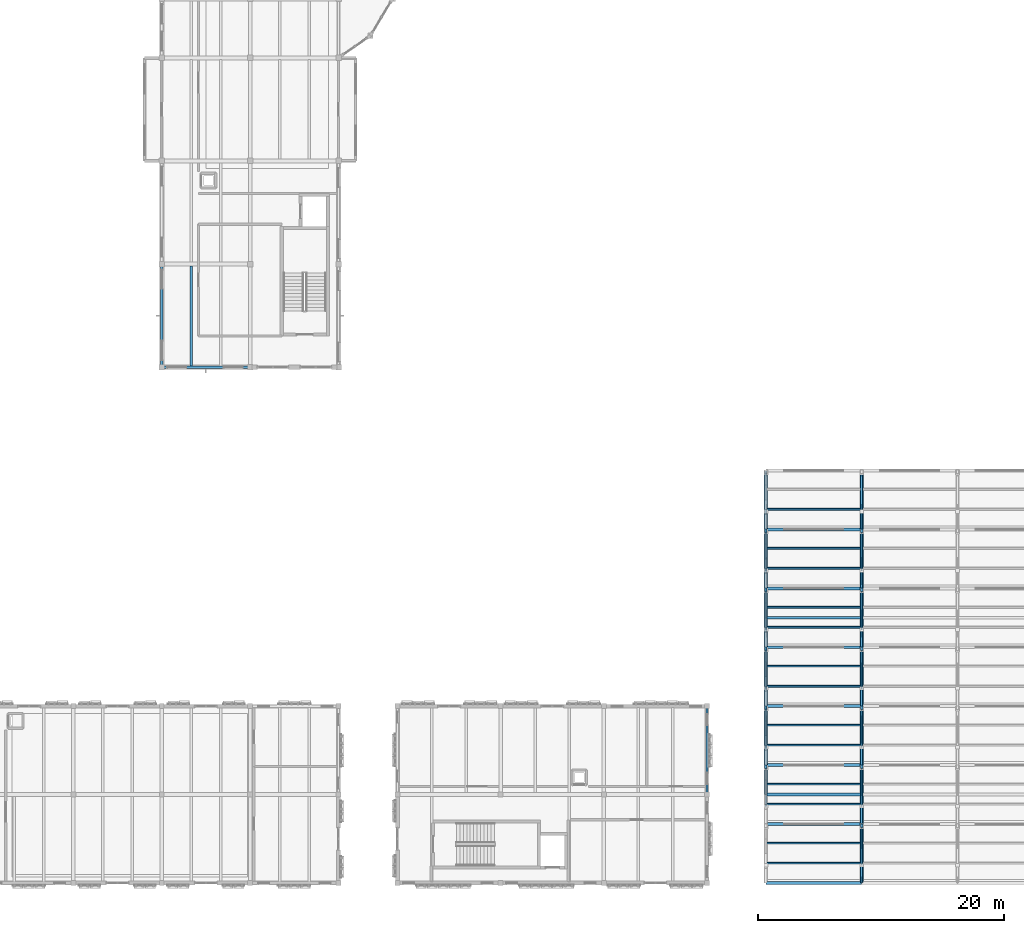
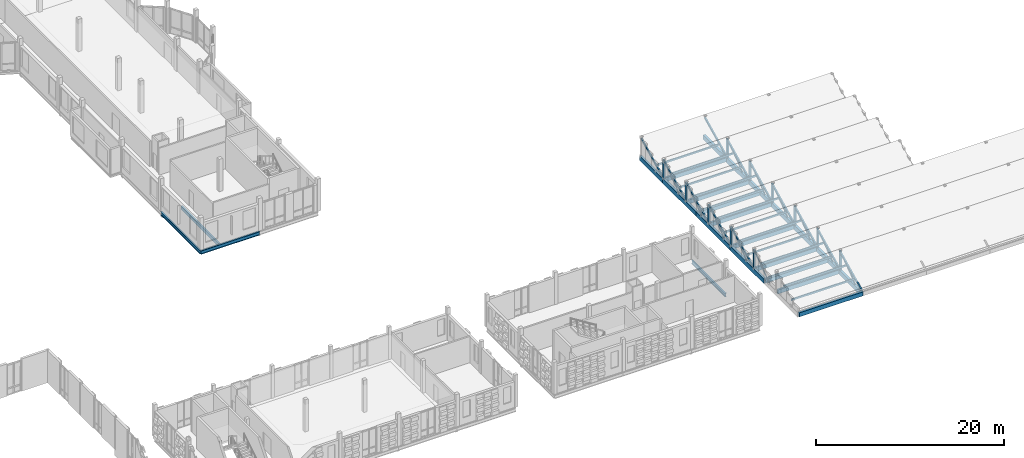
# One storey, part 17 of 81: 47 members, 22 beams.
"""IFC4 building model written with IfcOpenShell, lengths in metres."""

from ifc_helpers import new_model, si_unit, direction, frame, origin, origin_2d, place, context, subcontext, project, spatial, rectangle, hollow_circle, i_section, extrude, material, material_profile, profile_set, type_object, element, save


model = new_model("IFC4")

# Units and contexts
model_context = context("Model", 3, precision=1e-05, world=origin(), true_north=direction((0.0, 1.0)))
body_context = subcontext(model_context, "Body", "Model", "MODEL_VIEW")
ifc_project = project(units=[si_unit("LENGTHUNIT", "METRE"), si_unit("AREAUNIT", "SQUARE_METRE"), si_unit("VOLUMEUNIT", "CUBIC_METRE"), si_unit("PLANEANGLEUNIT", "RADIAN"), si_unit("MASSUNIT", "GRAM", prefix="KILO")], contexts=[model_context])

# Site, building, storey
site_placement = place(None, origin())
site = spatial("IfcSite", under=ifc_project, at=site_placement, CompositionType="ELEMENT")
building_placement = place(site_placement, origin())
building = spatial("IfcBuilding", under=site, at=building_placement, Name="Kahlenmark Community Centre", CompositionType="ELEMENT")
storey_placement = place(building_placement, frame((0.0, 0.0, 9.60009765625)))
storey = spatial("IfcBuildingStorey", under=building, at=storey_placement, Name="L02", CompositionType="ELEMENT", Elevation=9.60009765625)

# Beams
ifc_material_1 = material(Name="Glulam GL32h", Category="wood")
ifc_material_profile_1 = material_profile(ifc_material_1, rectangle(XDim=0.239990234375, YDim=0.52001953125, at=origin_2d()), Name="GL32h 240x520")
ifc_profile_set_1 = profile_set([ifc_material_profile_1], Name="Glulam GL32h")
beam_type_1 = type_object("IfcBeamType", Name="BT-BEAM-GL32h240x520", PredefinedType="BEAM", material=ifc_profile_set_1)
beam_1_placement = place(storey_placement, frame((121.741943359375, 13.60009765625, -0.260009765625), z_axis=(1.0, 0.0, 0.0), x_axis=(0.0, 1.0, 0.0)))
element("IfcBeam", 1, at=beam_1_placement, inside=storey, type_object=beam_type_1, Name="L02 beam BG-SAW520", PredefinedType="BEAM", context=body_context, shape_type="SweptSolid", body=[
    extrude(rectangle(XDim=0.239990234375, YDim=0.52001953125, at=origin_2d()), origin(), (0.0, 0.0, 1.0), 7.51611328125),
])
beam_2_placement = place(storey_placement, frame((121.60009765625, 16.0, -0.260009765625), z_axis=(1.0, 0.0, 0.0), x_axis=(0.0, 1.0, 0.0)))
element("IfcBeam", 2, at=beam_2_placement, inside=storey, type_object=beam_type_1, Name="L02 beam BG-SAW520", PredefinedType="BEAM", context=body_context, shape_type="SweptSolid", body=[
    extrude(rectangle(XDim=0.239990234375, YDim=0.52001953125, at=origin_2d()), origin(), (0.0, 0.0, 1.0), 7.7998046875),
])
beam_3_placement = place(storey_placement, frame((121.741943359375, 18.39990234375, -0.260009765625), z_axis=(1.0, 0.0, 0.0), x_axis=(0.0, 1.0, 0.0)))
element("IfcBeam", 3, at=beam_3_placement, inside=storey, type_object=beam_type_1, Name="L02 beam BG-SAW520", PredefinedType="BEAM", context=body_context, shape_type="SweptSolid", body=[
    extrude(rectangle(XDim=0.239990234375, YDim=0.52001953125, at=origin_2d()), origin(), (0.0, 0.0, 1.0), 7.51611328125),
])
beam_4_placement = place(storey_placement, frame((121.60009765625, 23.199951171875, -0.260009765625), z_axis=(1.0, 0.0, 0.0), x_axis=(0.0, 1.0, 0.0)))
element("IfcBeam", 4, at=beam_4_placement, inside=storey, type_object=beam_type_1, Name="L02 beam BG-SAW520", PredefinedType="BEAM", context=body_context, shape_type="SweptSolid", body=[
    extrude(rectangle(XDim=0.239990234375, YDim=0.52001953125, at=origin_2d()), origin(), (0.0, 0.0, 1.0), 7.7998046875),
])
beam_5_placement = place(storey_placement, frame((121.741943359375, 28.0, -0.260009765625), z_axis=(1.0, 0.0, 0.0), x_axis=(0.0, 1.0, 0.0)))
element("IfcBeam", 5, at=beam_5_placement, inside=storey, type_object=beam_type_1, Name="L02 beam BG-SAW520", PredefinedType="BEAM", context=body_context, shape_type="SweptSolid", body=[
    extrude(rectangle(XDim=0.239990234375, YDim=0.52001953125, at=origin_2d()), origin(), (0.0, 0.0, 1.0), 7.51611328125),
])
beam_6_placement = place(storey_placement, frame((121.60009765625, 30.39990234375, -0.260009765625), z_axis=(1.0, 0.0, 0.0), x_axis=(0.0, 1.0, 0.0)))
element("IfcBeam", 6, at=beam_6_placement, inside=storey, type_object=beam_type_1, Name="L02 beam BG-SAW520", PredefinedType="BEAM", context=body_context, shape_type="SweptSolid", body=[
    extrude(rectangle(XDim=0.239990234375, YDim=0.52001953125, at=origin_2d()), origin(), (0.0, 0.0, 1.0), 7.7998046875),
])
beam_7_placement = place(storey_placement, frame((121.741943359375, 32.800048828125, -0.260009765625), z_axis=(1.0, 0.0, 0.0), x_axis=(0.0, 1.0, 0.0)))
element("IfcBeam", 7, at=beam_7_placement, inside=storey, type_object=beam_type_1, Name="L02 beam BG-SAW520", PredefinedType="BEAM", context=body_context, shape_type="SweptSolid", body=[
    extrude(rectangle(XDim=0.239990234375, YDim=0.52001953125, at=origin_2d()), origin(), (0.0, 0.0, 1.0), 7.51611328125),
])
beam_8_placement = place(storey_placement, frame((121.60009765625, 37.60009765625, -0.260009765625), z_axis=(1.0, 0.0, 0.0), x_axis=(0.0, 1.0, 0.0)))
element("IfcBeam", 8, at=beam_8_placement, inside=storey, type_object=beam_type_1, Name="L02 beam BG-SAW520", PredefinedType="BEAM", context=body_context, shape_type="SweptSolid", body=[
    extrude(rectangle(XDim=0.239990234375, YDim=0.52001953125, at=origin_2d()), origin(), (0.0, 0.0, 1.0), 7.7998046875),
])
ifc_material_profile_2 = material_profile(ifc_material_1, rectangle(XDim=0.280029296875, YDim=0.60009765625, at=origin_2d()), Name="GL32h 280x600")
ifc_profile_set_2 = profile_set([ifc_material_profile_2], Name="Glulam GL32h")
beam_type_2 = type_object("IfcBeamType", Name="BT-BEAM-GL32h280x600", PredefinedType="BEAM", material=ifc_profile_set_2)
for number, where, z_axis, x_axis, name in (
    (9, (121.60009765625, 16.0, -0.300048828125), (0.0, 1.0, 0.0), (-1.0, 0.0, 0.0), "L02 beam BG-SAW600"),
    (10, (121.60009765625, 23.199951171875, -0.300048828125), (0.0, 1.0, 0.0), (-1.0, 0.0, 0.0), "L02 beam BG-SAW600"),
):
    element("IfcBeam", number, at=place(storey_placement, frame(where, z_axis=z_axis, x_axis=x_axis)), inside=storey, type_object=beam_type_2, Name=name, PredefinedType="BEAM", context=body_context, shape_type="SweptSolid", body=[
        extrude(rectangle(XDim=0.280029296875, YDim=0.60009765625, at=origin_2d()), origin(), (0.0, 0.0, 1.0), 7.199951171875),
    ])
beam_9_placement = place(storey_placement, frame((121.60009765625, 30.39990234375, -0.300048828125), z_axis=(0.0, 1.0, 0.0), x_axis=(-1.0, 0.0, 0.0)))
element("IfcBeam", 11, at=beam_9_placement, inside=storey, type_object=beam_type_2, Name="L02 beam BG-SAW600", PredefinedType="BEAM", context=body_context, shape_type="SweptSolid", body=[
    extrude(rectangle(XDim=0.280029296875, YDim=0.60009765625, at=origin_2d()), origin(), (0.0, 0.0, 1.0), 7.2001953125),
])
beam_10_placement = place(storey_placement, frame((121.60009765625, 37.60009765625, -0.300048828125), z_axis=(0.0, 1.0, 0.0), x_axis=(-1.0, 0.0, 0.0)))
element("IfcBeam", 12, at=beam_10_placement, inside=storey, type_object=beam_type_2, Name="L02 beam BG-SAW600", PredefinedType="BEAM", context=body_context, shape_type="SweptSolid", body=[
    extrude(rectangle(XDim=0.280029296875, YDim=0.60009765625, at=origin_2d()), origin(), (0.0, 0.0, 1.0), 4.7998046875),
])
for number, where, z_axis, x_axis, name in (
    (13, (129.39990234375, 8.800048828125, -0.300048828125), (0.0, 1.0, 0.0), (-1.0, 0.0, 0.0), "L02 beam BG-SAW600"),
    (14, (129.39990234375, 16.0, -0.300048828125), (0.0, 1.0, 0.0), (-1.0, 0.0, 0.0), "L02 beam BG-SAW600"),
    (15, (129.39990234375, 23.199951171875, -0.300048828125), (0.0, 1.0, 0.0), (-1.0, 0.0, 0.0), "L02 beam BG-SAW600"),
):
    element("IfcBeam", number, at=place(storey_placement, frame(where, z_axis=z_axis, x_axis=x_axis)), inside=storey, type_object=beam_type_2, Name=name, PredefinedType="BEAM", context=body_context, shape_type="SweptSolid", body=[
        extrude(rectangle(XDim=0.280029296875, YDim=0.60009765625, at=origin_2d()), origin(), (0.0, 0.0, 1.0), 7.199951171875),
    ])
beam_11_placement = place(storey_placement, frame((129.39990234375, 30.39990234375, -0.300048828125), z_axis=(0.0, 1.0, 0.0), x_axis=(-1.0, 0.0, 0.0)))
element("IfcBeam", 16, at=beam_11_placement, inside=storey, type_object=beam_type_2, Name="L02 beam BG-SAW600", PredefinedType="BEAM", context=body_context, shape_type="SweptSolid", body=[
    extrude(rectangle(XDim=0.280029296875, YDim=0.60009765625, at=origin_2d()), origin(), (0.0, 0.0, 1.0), 7.2001953125),
])
beam_12_placement = place(storey_placement, frame((129.39990234375, 37.60009765625, -0.300048828125), z_axis=(0.0, 1.0, 0.0), x_axis=(-1.0, 0.0, 0.0)))
element("IfcBeam", 17, at=beam_12_placement, inside=storey, type_object=beam_type_2, Name="L02 beam BG-SAW600", PredefinedType="BEAM", context=body_context, shape_type="SweptSolid", body=[
    extrude(rectangle(XDim=0.280029296875, YDim=0.60009765625, at=origin_2d()), origin(), (0.0, 0.0, 1.0), 4.7998046875),
])
ifc_material_2 = material(Name="Glulam GL28h", Category="wood")
ifc_material_profile_3 = material_profile(ifc_material_2, rectangle(XDim=0.199951171875, YDim=0.43994140625, at=origin_2d()), Name="GL28h 200x440")
ifc_profile_set_3 = profile_set([ifc_material_profile_3], Name="Glulam GL28h")
beam_type_3 = type_object("IfcBeamType", Name="BT-JOIST-GL28h200x440", PredefinedType="JOIST", material=ifc_profile_set_3)
beam_13_placement = place(storey_placement, frame((74.800048828125, 50.89306640625, -0.440185546875), z_axis=(0.0, 1.0, 0.0), x_axis=(-1.0, 0.0, 0.0)))
element("IfcBeam", 18, at=beam_13_placement, inside=storey, type_object=beam_type_3, Name="L02 joist BJ-GL28h200x440", PredefinedType="JOIST", context=body_context, shape_type="SweptSolid", body=[
    extrude(rectangle(XDim=0.199951171875, YDim=0.43994140625, at=origin_2d()), origin(), (0.0, 0.0, 1.0), 8.14892578125),
])
ifc_material_profile_4 = material_profile(ifc_material_1, rectangle(XDim=0.239990234375, YDim=0.52001953125, at=origin_2d()), Name="GL32h 240x520")
ifc_profile_set_4 = profile_set([ifc_material_profile_4], Name="Glulam GL32h")
beam_type_4 = type_object("IfcBeamType", Name="BT-SPANDREL-GL32h240x520", PredefinedType="SPANDREL", material=ifc_profile_set_4)
beam_14_placement = place(storey_placement, frame((121.60009765625, 8.800048828125, -0.260009765625), z_axis=(1.0, 0.0, 0.0), x_axis=(0.0, 1.0, 0.0)))
element("IfcBeam", 19, at=beam_14_placement, inside=storey, type_object=beam_type_4, Name="L02 spandrel SP-SAW520", PredefinedType="SPANDREL", context=body_context, shape_type="SweptSolid", body=[
    extrude(rectangle(XDim=0.239990234375, YDim=0.52001953125, at=origin_2d()), origin(), (0.0, 0.0, 1.0), 7.7998046875),
])
ifc_material_3 = material(Name="Steel S355", Category="steel")
ifc_material_profile_5 = material_profile(ifc_material_3, i_section(OverallWidth=0.18994140625, OverallDepth=0.449951171875, WebThickness=0.009521484375, FlangeThickness=0.0146484375, at=origin_2d()), Name="IPE 450")
ifc_profile_set_5 = profile_set([ifc_material_profile_5], Name="Steel S355")
beam_type_5 = type_object("IfcBeamType", Name="BT-SPANDREL-IPE450", PredefinedType="SPANDREL", material=ifc_profile_set_5)
beam_15_placement = place(storey_placement, frame((72.39990234375, 50.800048828125, -0.445068359375), z_axis=(1.0, 0.0, 0.0), x_axis=(0.0, 1.0, 0.0)))
element("IfcBeam", 20, at=beam_15_placement, inside=storey, type_object=beam_type_5, Name="L02 spandrel SP-IPE450", PredefinedType="SPANDREL", context=body_context, shape_type="SweptSolid", body=[
    extrude(i_section(OverallWidth=0.18994140625, OverallDepth=0.449951171875, WebThickness=0.009521484375, FlangeThickness=0.0146484375, at=origin_2d()), origin(), (0.0, 0.0, 1.0), 7.2001953125),
])
beam_16_placement = place(storey_placement, frame((72.39990234375, 50.800048828125, -0.445068359375), z_axis=(0.0, 1.0, 0.0), x_axis=(-1.0, 0.0, 0.0)))
element("IfcBeam", 21, at=beam_16_placement, inside=storey, type_object=beam_type_5, Name="L02 spandrel SP-IPE450", PredefinedType="SPANDREL", context=body_context, shape_type="SweptSolid", body=[
    extrude(i_section(OverallWidth=0.18994140625, OverallDepth=0.449951171875, WebThickness=0.009521484375, FlangeThickness=0.0146484375, at=origin_2d()), origin(), (0.0, 0.0, 1.0), 8.39990234375),
])
beam_17_placement = place(storey_placement, frame((116.800048828125, 16.0, -0.445068359375), z_axis=(0.0, 1.0, 0.0), x_axis=(-1.0, 0.0, 0.0)))
element("IfcBeam", 22, at=beam_17_placement, inside=storey, type_object=beam_type_5, Name="L02 spandrel SP-IPE450", PredefinedType="SPANDREL", context=body_context, shape_type="SweptSolid", body=[
    extrude(i_section(OverallWidth=0.18994140625, OverallDepth=0.449951171875, WebThickness=0.009521484375, FlangeThickness=0.0146484375, at=origin_2d()), origin(), (0.0, 0.0, 1.0), 7.199951171875),
])

# Members
ifc_material_profile_6 = material_profile(ifc_material_3, hollow_circle(Radius=0.06982421875, WallThickness=0.00634765625, at=origin_2d()), Name="CHS 139.7x6.3")
ifc_profile_set_6 = profile_set([ifc_material_profile_6], Name="Steel S355")
member_type_1 = type_object("IfcMemberType", Name="MT-BRACE-CHS139.7x6.3", PredefinedType="BRACE", material=ifc_profile_set_6)
member_placement = place(storey_placement, frame((129.39990234375, 13.360107421875, 2.219970703125), z_axis=(0.0, -0.816400900817, -0.577485557521), x_axis=(1.0, 0.0, 0.0)))
element("IfcMember", 23, at=member_placement, inside=storey, type_object=member_type_1, Name="L02 brace SAW-DIAG", PredefinedType="BRACE", context=body_context, shape_type="SweptSolid", body=[
    extrude(hollow_circle(Radius=0.06982421875, WallThickness=0.00634765625, at=origin_2d()), origin(), (0.0, 0.0, 1.0), 3.8095703125),
])
for number, where, z_axis, x_axis, name in (
    (24, (121.60009765625, 18.159912109375, 2.219970703125), (0.0, -0.816379526882, -0.577515773021), (1.0, 0.0, 0.0), "L02 brace SAW-DIAG"),
    (25, (129.39990234375, 18.159912109375, 2.219970703125), (0.0, -0.816379526882, -0.577515773021), (1.0, 0.0, 0.0), "L02 brace SAW-DIAG"),
    (26, (121.60009765625, 22.9599609375, 2.219970703125), (0.0, -0.816379526882, -0.577515773021), (1.0, 0.0, 0.0), "L02 brace SAW-DIAG"),
    (27, (129.39990234375, 22.9599609375, 2.219970703125), (0.0, -0.816379526882, -0.577515773021), (1.0, 0.0, 0.0), "L02 brace SAW-DIAG"),
):
    element("IfcMember", number, at=place(storey_placement, frame(where, z_axis=z_axis, x_axis=x_axis)), inside=storey, type_object=member_type_1, Name=name, PredefinedType="BRACE", context=body_context, shape_type="SweptSolid", body=[
        extrude(hollow_circle(Radius=0.06982421875, WallThickness=0.00634765625, at=origin_2d()), origin(), (0.0, 0.0, 1.0), 3.809326171875),
    ])
for number, where, z_axis, x_axis, name in (
    (28, (121.60009765625, 27.760009765625, 2.219970703125), (0.0, -0.816400900817, -0.577485557521), (1.0, 0.0, 0.0), "L02 brace SAW-DIAG"),
    (29, (129.39990234375, 27.760009765625, 2.219970703125), (0.0, -0.816400900817, -0.577485557521), (1.0, 0.0, 0.0), "L02 brace SAW-DIAG"),
    (30, (121.60009765625, 32.56005859375, 2.219970703125), (0.0, -0.816400900817, -0.577485557521), (1.0, 0.0, 0.0), "L02 brace SAW-DIAG"),
    (31, (129.39990234375, 32.56005859375, 2.219970703125), (0.0, -0.816400900817, -0.577485557521), (1.0, 0.0, 0.0), "L02 brace SAW-DIAG"),
    (32, (121.60009765625, 37.360107421875, 2.219970703125), (0.0, -0.816400900817, -0.577485557521), (1.0, 0.0, 0.0), "L02 brace SAW-DIAG"),
    (33, (129.39990234375, 37.360107421875, 2.219970703125), (0.0, -0.816400900817, -0.577485557521), (1.0, 0.0, 0.0), "L02 brace SAW-DIAG"),
):
    element("IfcMember", number, at=place(storey_placement, frame(where, z_axis=z_axis, x_axis=x_axis)), inside=storey, type_object=member_type_1, Name=name, PredefinedType="BRACE", context=body_context, shape_type="SweptSolid", body=[
        extrude(hollow_circle(Radius=0.06982421875, WallThickness=0.00634765625, at=origin_2d()), origin(), (0.0, 0.0, 1.0), 3.8095703125),
    ])
ifc_material_profile_7 = material_profile(ifc_material_2, rectangle(XDim=0.139892578125, YDim=0.219970703125, at=origin_2d()), Name="GL28h 140x220")
ifc_profile_set_7 = profile_set([ifc_material_profile_7], Name="Glulam GL28h")
member_type_2 = type_object("IfcMemberType", Name="MT-PURLIN-GL28h140x220", PredefinedType="PURLIN", material=ifc_profile_set_7)
for number, where, z_axis, x_axis, name in (
    (34, (121.60009765625, 10.431884765625, 0.642333984375), (1.0, 0.0, 0.0), (0.0, 1.0, 0.0), "L02 purlin PR-SAW220"),
    (35, (121.60009765625, 12.06396484375, 1.444091796875), (1.0, 0.0, 0.0), (0.0, 1.0, 0.0), "L02 purlin PR-SAW220"),
    (36, (121.60009765625, 15.23193359375, 0.642333984375), (1.0, 0.0, 0.0), (0.0, 1.0, 0.0), "L02 purlin PR-SAW220"),
    (37, (121.60009765625, 16.864013671875, 1.444091796875), (1.0, 0.0, 0.0), (0.0, 1.0, 0.0), "L02 purlin PR-SAW220"),
    (38, (121.60009765625, 20.031982421875, 0.642333984375), (1.0, 0.0, 0.0), (0.0, 1.0, 0.0), "L02 purlin PR-SAW220"),
    (39, (121.60009765625, 21.6640625, 1.444091796875), (1.0, 0.0, 0.0), (0.0, 1.0, 0.0), "L02 purlin PR-SAW220"),
    (40, (121.60009765625, 24.83203125, 0.642333984375), (1.0, 0.0, 0.0), (0.0, 1.0, 0.0), "L02 purlin PR-SAW220"),
    (41, (121.60009765625, 26.464111328125, 1.444091796875), (1.0, 0.0, 0.0), (0.0, 1.0, 0.0), "L02 purlin PR-SAW220"),
    (42, (121.60009765625, 29.632080078125, 0.642333984375), (1.0, 0.0, 0.0), (0.0, 1.0, 0.0), "L02 purlin PR-SAW220"),
    (43, (121.60009765625, 31.263916015625, 1.444091796875), (1.0, 0.0, 0.0), (0.0, 1.0, 0.0), "L02 purlin PR-SAW220"),
    (44, (121.60009765625, 34.431884765625, 0.642333984375), (1.0, 0.0, 0.0), (0.0, 1.0, 0.0), "L02 purlin PR-SAW220"),
    (45, (121.60009765625, 36.06396484375, 1.444091796875), (1.0, 0.0, 0.0), (0.0, 1.0, 0.0), "L02 purlin PR-SAW220"),
    (46, (121.60009765625, 39.23193359375, 0.642333984375), (1.0, 0.0, 0.0), (0.0, 1.0, 0.0), "L02 purlin PR-SAW220"),
):
    element("IfcMember", number, at=place(storey_placement, frame(where, z_axis=z_axis, x_axis=x_axis)), inside=storey, type_object=member_type_2, Name=name, PredefinedType="PURLIN", context=body_context, shape_type="SweptSolid", body=[
        extrude(rectangle(XDim=0.139892578125, YDim=0.219970703125, at=origin_2d()), origin(), (0.0, 0.0, 1.0), 7.7998046875),
    ])
ifc_material_profile_8 = material_profile(ifc_material_2, rectangle(XDim=0.159912109375, YDim=0.239990234375, at=origin_2d()), Name="GL28h 160x240")
ifc_profile_set_8 = profile_set([ifc_material_profile_8], Name="Glulam GL28h")
member_type_3 = type_object("IfcMemberType", Name="MT-RAFTER-GL28h160x240", PredefinedType="RAFTER", material=ifc_profile_set_8)
for number, where, z_axis, x_axis, name in (
    (47, (129.39990234375, 8.8798828125, 0.02001953125), (0.0, 0.897549034846, 0.440914651658), (-1.0, 0.0, 0.0), "L02 rafter SAW-RAF"),
    (48, (129.39990234375, 13.679931640625, 0.02001953125), (0.0, 0.897549034846, 0.440914651658), (-1.0, 0.0, 0.0), "L02 rafter SAW-RAF"),
    (49, (121.60009765625, 18.47998046875, 0.02001953125), (0.0, 0.897549034846, 0.440914651658), (-1.0, 0.0, 0.0), "L02 rafter SAW-RAF"),
    (50, (129.39990234375, 18.47998046875, 0.02001953125), (0.0, 0.897549034846, 0.440914651658), (-1.0, 0.0, 0.0), "L02 rafter SAW-RAF"),
):
    element("IfcMember", number, at=place(storey_placement, frame(where, z_axis=z_axis, x_axis=x_axis)), inside=storey, type_object=member_type_3, Name=name, PredefinedType="RAFTER", context=body_context, shape_type="SweptSolid", body=[
        extrude(rectangle(XDim=0.159912109375, YDim=0.239990234375, at=origin_2d()), origin(), (0.0, 0.0, 1.0), 5.125244140625),
    ])
for number, where, z_axis, x_axis, name in (
    (51, (121.60009765625, 23.280029296875, 0.02001953125), (0.0, 0.897539773628, 0.440933503779), (-1.0, 0.0, 0.0), "L02 rafter SAW-RAF"),
    (52, (129.39990234375, 23.280029296875, 0.02001953125), (0.0, 0.897539773628, 0.440933503779), (-1.0, 0.0, 0.0), "L02 rafter SAW-RAF"),
    (53, (121.60009765625, 28.080078125, 0.02001953125), (0.0, 0.897539773628, 0.440933503779), (-1.0, 0.0, 0.0), "L02 rafter SAW-RAF"),
    (54, (129.39990234375, 28.080078125, 0.02001953125), (0.0, 0.897539773628, 0.440933503779), (-1.0, 0.0, 0.0), "L02 rafter SAW-RAF"),
):
    element("IfcMember", number, at=place(storey_placement, frame(where, z_axis=z_axis, x_axis=x_axis)), inside=storey, type_object=member_type_3, Name=name, PredefinedType="RAFTER", context=body_context, shape_type="SweptSolid", body=[
        extrude(rectangle(XDim=0.159912109375, YDim=0.239990234375, at=origin_2d()), origin(), (0.0, 0.0, 1.0), 5.125),
    ])
for number, where, z_axis, x_axis, name in (
    (55, (121.60009765625, 32.8798828125, 0.02001953125), (0.0, 0.897549034846, 0.440914651658), (-1.0, 0.0, 0.0), "L02 rafter SAW-RAF"),
    (56, (129.39990234375, 32.8798828125, 0.02001953125), (0.0, 0.897549034846, 0.440914651658), (-1.0, 0.0, 0.0), "L02 rafter SAW-RAF"),
    (57, (121.60009765625, 37.679931640625, 0.02001953125), (0.0, 0.897549034846, 0.440914651658), (-1.0, 0.0, 0.0), "L02 rafter SAW-RAF"),
    (58, (129.39990234375, 37.679931640625, 0.02001953125), (0.0, 0.897549034846, 0.440914651658), (-1.0, 0.0, 0.0), "L02 rafter SAW-RAF"),
):
    element("IfcMember", number, at=place(storey_placement, frame(where, z_axis=z_axis, x_axis=x_axis)), inside=storey, type_object=member_type_3, Name=name, PredefinedType="RAFTER", context=body_context, shape_type="SweptSolid", body=[
        extrude(rectangle(XDim=0.159912109375, YDim=0.239990234375, at=origin_2d()), origin(), (0.0, 0.0, 1.0), 5.125244140625),
    ])
ifc_material_profile_9 = material_profile(ifc_material_2, rectangle(XDim=0.199951171875, YDim=0.280029296875, at=origin_2d()), Name="GL28h 200x280")
ifc_profile_set_9 = profile_set([ifc_material_profile_9], Name="Glulam GL28h")
member_type_4 = type_object("IfcMemberType", Name="MT-STRUT-GL28h200x280", PredefinedType="STRUT", material=ifc_profile_set_9)
for number, where, z_axis, x_axis, name in (
    (59, (129.39990234375, 13.47998046875, 0.0), (0.0, 0.0, 1.0), (1.0, 0.0, 0.0), "L02 strut SAW-POST"),
    (60, (121.60009765625, 18.280029296875, 0.0), (0.0, 0.0, 1.0), (1.0, 0.0, 0.0), "L02 strut SAW-POST"),
    (61, (129.39990234375, 18.280029296875, 0.0), (0.0, 0.0, 1.0), (1.0, 0.0, 0.0), "L02 strut SAW-POST"),
    (62, (121.60009765625, 23.080078125, 0.0), (0.0, 0.0, 1.0), (1.0, 0.0, 0.0), "L02 strut SAW-POST"),
    (63, (129.39990234375, 23.080078125, 0.0), (0.0, 0.0, 1.0), (1.0, 0.0, 0.0), "L02 strut SAW-POST"),
    (64, (121.60009765625, 27.8798828125, 0.0), (0.0, 0.0, 1.0), (1.0, 0.0, 0.0), "L02 strut SAW-POST"),
    (65, (129.39990234375, 27.8798828125, 0.0), (0.0, 0.0, 1.0), (1.0, 0.0, 0.0), "L02 strut SAW-POST"),
    (66, (121.60009765625, 32.679931640625, 0.0), (0.0, 0.0, 1.0), (1.0, 0.0, 0.0), "L02 strut SAW-POST"),
    (67, (129.39990234375, 32.679931640625, 0.0), (0.0, 0.0, 1.0), (1.0, 0.0, 0.0), "L02 strut SAW-POST"),
    (68, (121.60009765625, 37.47998046875, 0.0), (0.0, 0.0, 1.0), (1.0, 0.0, 0.0), "L02 strut SAW-POST"),
    (69, (129.39990234375, 37.47998046875, 0.0), (0.0, 0.0, 1.0), (1.0, 0.0, 0.0), "L02 strut SAW-POST"),
):
    element("IfcMember", number, at=place(storey_placement, frame(where, z_axis=z_axis, x_axis=x_axis)), inside=storey, type_object=member_type_4, Name=name, PredefinedType="STRUT", context=body_context, shape_type="SweptSolid", body=[
        extrude(rectangle(XDim=0.199951171875, YDim=0.280029296875, at=origin_2d()), origin(), (0.0, 0.0, 1.0), 2.419921875),
    ])

save(model, "model.ifc")
